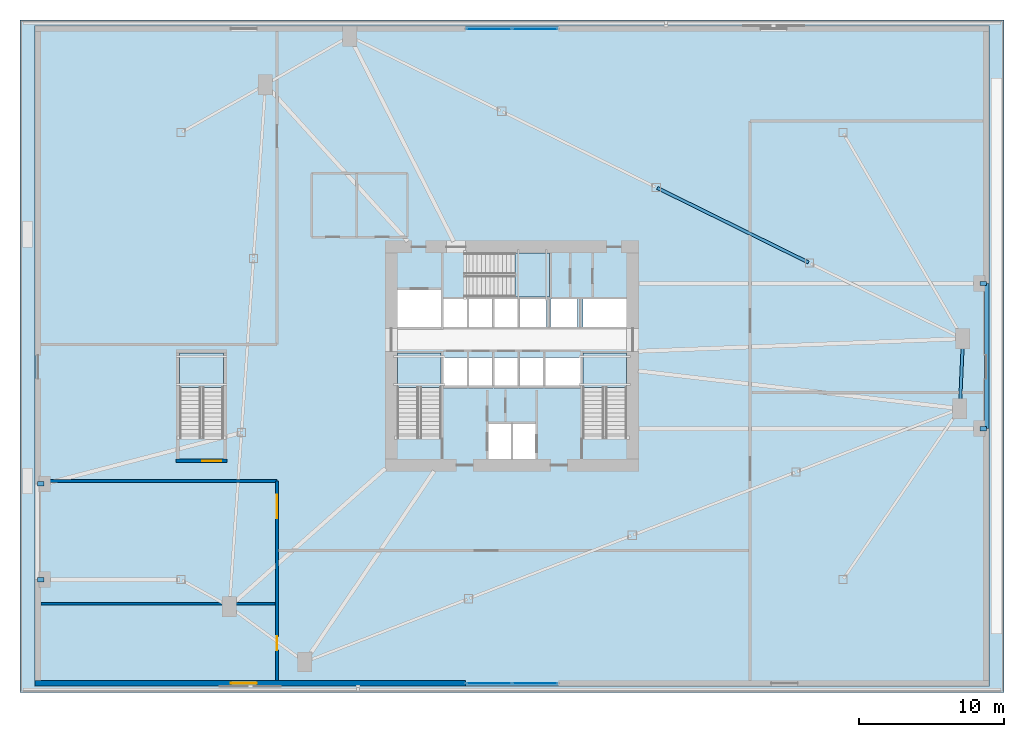
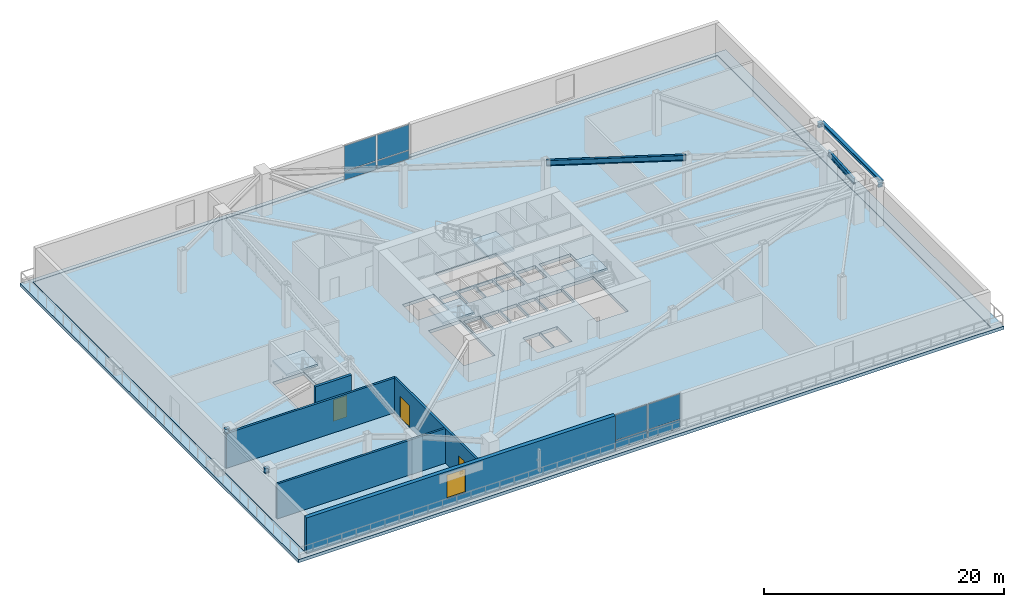
# One storey, part 7 of 16: 8 plates, 7 beams, 6 slabs, 5 walls, 3 doors, 1 window, 4 openings, 6 elements without a shape of their own.
"""IFC4 building model written with IfcOpenShell, lengths in metres."""

import ifcopenshell
import ifcopenshell.guid

model = None  # the IFC model being written
_history = None  # IfcOwnerHistory: only IFC2X3 demands one
_inside = {}  # id of a spatial element -> (the spatial element, [elements in it])
_under = {}  # id of a project, library or spatial element -> (it, [spatial elements below it])
_declared = {}  # id of a project -> (the project, [libraries it declares])
_typed = {}  # id of a type object -> (the type object, [elements of that type])
_made_of = {}  # id of a material, layer set ... -> (it, [elements and type objects made of it])


def new_model(schema):
    """Start an empty IFC model of exactly this schema.

    Asked for "IFC4X3", IfcOpenShell would pick the latest addendum, in which some entities
    have other attributes; the version numbers below select the first issue.
    IFC2X3 requires an IfcOwnerHistory on every rooted entity: one is made here for all.
    """
    global model, _history
    if schema == "IFC4X3":
        model = ifcopenshell.file(schema_version=(4, 3, 0, 0))
    else:
        model = ifcopenshell.file(schema=schema)
    _inside.clear()
    _under.clear()
    _declared.clear()
    _typed.clear()
    _made_of.clear()
    _history = None
    if model.schema == "IFC2X3":
        org = make("IfcOrganization", Name="unknown")
        user = make(
            "IfcPersonAndOrganization",
            ThePerson=make("IfcPerson", FamilyName="unknown"),
            TheOrganization=org,
        )
        app = make(
            "IfcApplication",
            ApplicationDeveloper=org,
            Version="unknown",
            ApplicationFullName="unknown",
            ApplicationIdentifier="unknown",
        )
        _history = make(
            "IfcOwnerHistory",
            OwningUser=user,
            OwningApplication=app,
            ChangeAction="ADDED",
            CreationDate=0,
        )
    return model


def make(cls, **values):
    """One entity of the class cls with the attributes given. An attribute that is None is left unset."""
    return model.create_entity(
        cls, **{name: value for name, value in values.items() if value is not None}
    )


def rooted(cls, **values):
    """An entity with a GlobalId (a new one), such as an element, a storey or a relation."""
    return make(cls, GlobalId=ifcopenshell.guid.new(), OwnerHistory=_history, **values)


def si_unit(unit_type, name, prefix=None):
    """IfcSIUnit, for example si_unit("LENGTHUNIT", "METRE", prefix="MILLI")."""
    return make("IfcSIUnit", UnitType=unit_type, Prefix=prefix, Name=name)


def assignment(units):
    """IfcUnitAssignment: the units of a project."""
    return None if units is None else make("IfcUnitAssignment", Units=units)


def point(xyz):
    """IfcCartesianPoint."""
    return None if xyz is None else make("IfcCartesianPoint", Coordinates=xyz)


def direction(xyz):
    """IfcDirection."""
    return None if xyz is None else make("IfcDirection", DirectionRatios=xyz)


def frame(location, z_axis=None, x_axis=None):
    """IfcAxis2Placement3D, a coordinate frame: its origin and axes. An axis left out is left unset."""
    return make(
        "IfcAxis2Placement3D",
        Location=point(location),
        Axis=direction(z_axis),
        RefDirection=direction(x_axis),
    )


def frame_2d(location, x_axis=None):
    """IfcAxis2Placement2D, a coordinate frame in the plane: its origin and x axis."""
    return make(
        "IfcAxis2Placement2D", Location=point(location), RefDirection=direction(x_axis)
    )


def origin():
    """The frame at (0, 0, 0) with its axes left unset."""
    return frame((0.0, 0.0, 0.0))


def origin_2d():
    """The frame at (0, 0) in the plane with its x axis left unset."""
    return frame_2d((0.0, 0.0))


def place(relative_to, where):
    """IfcLocalPlacement: puts the frame where relative to a parent placement (None: the world)."""
    return make(
        "IfcLocalPlacement", PlacementRelTo=relative_to, RelativePlacement=where
    )


def context(
    kind, dimensions, precision=None, world=None, true_north=None, identifier=None
):
    """IfcGeometricRepresentationContext, for example the 3D "Model" context."""
    return make(
        "IfcGeometricRepresentationContext",
        ContextIdentifier=identifier,
        ContextType=kind,
        CoordinateSpaceDimension=dimensions,
        Precision=precision,
        WorldCoordinateSystem=world,
        TrueNorth=true_north,
    )


def subcontext(parent, identifier, kind, view, scale=None):
    """IfcGeometricRepresentationSubContext, for example "Body" below "Model"."""
    return make(
        "IfcGeometricRepresentationSubContext",
        ContextIdentifier=identifier,
        ContextType=kind,
        ParentContext=parent,
        TargetScale=scale,
        TargetView=view,
    )


def project(units=None, contexts=None):
    """IfcProject with its units and contexts."""
    return rooted(
        "IfcProject",
        Name="project",
        RepresentationContexts=contexts,
        UnitsInContext=assignment(units),
    )


def spatial(cls, under=None, at=None, **own):
    """A site, building, storey or space (cls), placed at a placement, below another one or the project."""
    s = rooted(cls, ObjectPlacement=at, **own)
    if under is not None:
        _under.setdefault(under.id(), (under, []))[1].append(s)
    return s


def polyline(points):
    """IfcPolyline through the points."""
    return make("IfcPolyline", Points=[point(p) for p in points])


def profile(cls, at=None, kind="AREA", **sizes):
    """A parametric profile (cls). Its sizes go by their IFC names, for example OverallWidth=200.0."""
    return make(cls, ProfileType=kind, Position=at, **sizes)


def rectangle(**sizes):
    """IfcRectangleProfileDef."""
    return profile("IfcRectangleProfileDef", **sizes)


def i_section(**sizes):
    """IfcIShapeProfileDef."""
    return profile("IfcIShapeProfileDef", **sizes)


def outline(outer, holes=None, kind="AREA"):
    """IfcArbitraryClosedProfileDef: a profile drawn as a closed curve; with holes, ...WithVoids."""
    if holes is None:
        return make("IfcArbitraryClosedProfileDef", ProfileType=kind, OuterCurve=outer)
    return make(
        "IfcArbitraryProfileDefWithVoids",
        ProfileType=kind,
        OuterCurve=outer,
        InnerCurves=holes,
    )


def extrude(swept, where, along, depth):
    """IfcExtrudedAreaSolid: the profile swept, set in the frame where, extruded along a direction by depth."""
    return make(
        "IfcExtrudedAreaSolid",
        SweptArea=swept,
        Position=where,
        ExtrudedDirection=direction(along),
        Depth=depth,
    )


def shape(context_of_items, identifier, shape_type, items):
    """IfcShapeRepresentation: the items that make up one representation, for example the "Body"."""
    return make(
        "IfcShapeRepresentation",
        ContextOfItems=context_of_items,
        RepresentationIdentifier=identifier,
        RepresentationType=shape_type,
        Items=items,
    )


def source(mapping_origin, context_of_items, identifier, shape_type, items):
    """IfcRepresentationMap: a shape defined once, which mapped items show again and again."""
    return make(
        "IfcRepresentationMap",
        MappingOrigin=mapping_origin,
        MappedRepresentation=shape(context_of_items, identifier, shape_type, items),
    )


def transform(
    local_origin,
    x_axis=None,
    y_axis=None,
    z_axis=None,
    scale=None,
    scale2=None,
    scale3=None,
    uniform=True,
):
    """IfcCartesianTransformationOperator3D, or its non-uniform kind. x_axis, y_axis, z_axis: its Axis1, 2, 3."""
    if uniform:
        return make(
            "IfcCartesianTransformationOperator3D",
            Axis1=direction(x_axis),
            Axis2=direction(y_axis),
            LocalOrigin=point(local_origin),
            Scale=scale,
            Axis3=direction(z_axis),
        )
    return make(
        "IfcCartesianTransformationOperator3DnonUniform",
        Axis1=direction(x_axis),
        Axis2=direction(y_axis),
        LocalOrigin=point(local_origin),
        Scale=scale,
        Axis3=direction(z_axis),
        Scale2=scale2,
        Scale3=scale3,
    )


def mapped(mapping_source, mapping_target):
    """IfcMappedItem: shows the shape of a source again, moved by a transform."""
    return make(
        "IfcMappedItem", MappingSource=mapping_source, MappingTarget=mapping_target
    )


def material(Name=None, Category=None):
    """IfcMaterial."""
    return make("IfcMaterial", Name=Name, Category=Category)


def layer(
    of_material, thickness, ventilated=None, Name=None, Category=None, Priority=None
):
    """IfcMaterialLayer: one layer of a wall or slab, of a material (None: an air gap)."""
    return make(
        "IfcMaterialLayer",
        Material=of_material,
        LayerThickness=thickness,
        IsVentilated=ventilated,
        Name=Name,
        Category=Category,
        Priority=Priority,
    )


def layer_set(layers, Name=None):
    """IfcMaterialLayerSet."""
    return make("IfcMaterialLayerSet", MaterialLayers=layers, LayerSetName=Name)


def material_profile(
    of_material, cross_section, Name=None, Category=None, Priority=None
):
    """IfcMaterialProfile: a cross section and its material."""
    return make(
        "IfcMaterialProfile",
        Name=Name,
        Material=of_material,
        Profile=cross_section,
        Priority=Priority,
        Category=Category,
    )


def profile_set(profiles, Name=None, composite=None):
    """IfcMaterialProfileSet."""
    return make(
        "IfcMaterialProfileSet",
        Name=Name,
        MaterialProfiles=profiles,
        CompositeProfile=composite,
    )


def made_of(thing, what):
    """Note that an element or type object is made of a material, layer set ...; save() writes the relation."""
    if what is not None:
        _made_of.setdefault(what.id(), (what, []))[1].append(thing)
    return thing


def type_object(cls, material=None, **own):
    """A type object (cls), such as IfcWallType, which elements share."""
    return made_of(rooted(cls, **own), material)


def type_shapes(of_type, sources):
    """Give a type object the sources (RepresentationMaps) that its elements show as mapped items."""
    of_type.RepresentationMaps = sources


def element(
    cls,
    number,
    at=None,
    inside=None,
    cuts=None,
    type_object=None,
    material=None,
    context=None,
    identifier="Body",
    shape_type=None,
    held_by="IfcProductDefinitionShape",
    body=None,
    shapes=None,
    **own,
):
    """One element of the class cls, such as IfcWall. Its Tag is "e" and its number.

    at: its placement. inside: the storey or other place that contains it. cuts: it is an
    opening in that element (IfcRelVoidsElement). A single representation is given by context,
    identifier, shape_type and body (its items); several are given by shapes. held_by: the class
    of the entity that holds the representations. save() writes the other relations.
    """
    e = rooted(cls, Tag="e%d" % number, ObjectPlacement=at, **own)
    if body is not None:
        shapes = [shape(context, identifier, shape_type, body)]
    if shapes is not None:
        e.Representation = make(held_by, Representations=shapes)
    if inside is not None:
        _inside.setdefault(inside.id(), (inside, []))[1].append(e)
    if cuts is not None:
        rooted(
            "IfcRelVoidsElement", RelatingBuildingElement=cuts, RelatedOpeningElement=e
        )
    if type_object is not None:
        _typed.setdefault(type_object.id(), (type_object, []))[1].append(e)
    return made_of(e, material)


def fill(opening, filler):
    """IfcRelFillsElement: the door or window that sits in an opening."""
    return rooted(
        "IfcRelFillsElement",
        RelatingOpeningElement=opening,
        RelatedBuildingElement=filler,
    )


def aggregate(whole, parts):
    """IfcRelAggregates: a whole, such as a stair, and the parts it consists of."""
    return rooted("IfcRelAggregates", RelatingObject=whole, RelatedObjects=parts)


def save(model, path):
    """Write the relations noted so far, then the file.

    IfcRelAggregates (storeys below a building ...), IfcRelContainedInSpatialStructure (elements
    in a storey), IfcRelDefinesByType, IfcRelAssociatesMaterial and IfcRelDeclares: one each for
    every whole, place, type object, material and project.
    """
    for whole, parts in _under.values():
        aggregate(whole, parts)
    for where, things in _inside.values():
        rooted(
            "IfcRelContainedInSpatialStructure",
            RelatedElements=things,
            RelatingStructure=where,
        )
    for kind, things in _typed.values():
        rooted("IfcRelDefinesByType", RelatedObjects=things, RelatingType=kind)
    for what, things in _made_of.values():
        rooted("IfcRelAssociatesMaterial", RelatedObjects=things, RelatingMaterial=what)
    for by, libraries in _declared.values():
        rooted("IfcRelDeclares", RelatingContext=by, RelatedDefinitions=libraries)
    model.write(path)


model = new_model("IFC4")

# Units and contexts
model_context = context("Model", 3, precision=1e-05, world=origin(), true_north=direction((0.0, 1.0)))
body_context = subcontext(model_context, "Body", "Model", "MODEL_VIEW")
ifc_project = project(units=[si_unit("LENGTHUNIT", "METRE"), si_unit("AREAUNIT", "SQUARE_METRE"), si_unit("VOLUMEUNIT", "CUBIC_METRE"), si_unit("PLANEANGLEUNIT", "RADIAN"), si_unit("MASSUNIT", "GRAM", prefix="KILO")], contexts=[model_context])

# Site, building, storey
site_placement = place(None, origin())
site = spatial("IfcSite", under=ifc_project, at=site_placement, CompositionType="ELEMENT")
building_placement = place(site_placement, origin())
building = spatial("IfcBuilding", under=site, at=building_placement, Name="Olszyna Solenne Hotel", CompositionType="ELEMENT")
storey_placement = place(building_placement, frame((0.0, 0.0, 15.60009765625)))
storey = spatial("IfcBuildingStorey", under=building, at=storey_placement, Name="L03", CompositionType="ELEMENT", Elevation=15.60009765625)

# Beams
ifc_material_1 = material(Name="Steel S355J2", Category="steel")
ifc_material_profile_1 = material_profile(ifc_material_1, i_section(OverallWidth=0.2099609375, OverallDepth=0.550048828125, WebThickness=0.010986328125, FlangeThickness=0.01708984375, at=origin_2d()), Name="IPE 550", Category="load-bearing")
ifc_profile_set_1 = profile_set([ifc_material_profile_1], Name="Steel S355J2")
beam_type_1 = type_object("IfcBeamType", Name="BM-F2", PredefinedType="BEAM", material=ifc_profile_set_1)
shared_shape_1 = source(origin(), body_context, "Body", "SweptSolid", [
    extrude(i_section(OverallWidth=0.2099609375, OverallDepth=0.550048828125, WebThickness=0.010986328125, FlangeThickness=0.01708984375, at=origin_2d()), origin(), (0.0, 0.0, 1.0), 4.6630859375),
])
beam_1_placement = place(storey_placement, frame((68.86181640625, 23.064453125, 3.90478515625), z_axis=(0.044450544341, 0.999011586073, 0.0), x_axis=(-0.999011586073, 0.044450544341, 0.0)))
element("IfcBeam", 1, at=beam_1_placement, inside=storey, type_object=beam_type_1, Name="Podium ring girder BM-F2 B-L03-0115", PredefinedType="BEAM", context=body_context, shape_type="MappedRepresentation", body=[
    mapped(shared_shape_1, transform((0.0, 0.0, 0.0), x_axis=(1.0, 0.0, 0.0), y_axis=(0.0, 1.0, 0.0), z_axis=(0.0, 0.0, 1.0), scale=1.0)),
])
shared_shape_2 = source(origin(), body_context, "Body", "SweptSolid", [
    extrude(i_section(OverallWidth=0.2099609375, OverallDepth=0.550048828125, WebThickness=0.010986328125, FlangeThickness=0.01708984375, at=origin_2d()), origin(), (0.0, 0.0, 1.0), 11.6201171875),
])
beam_2_placement = place(storey_placement, frame((58.434814453125, 33.048095703125, 3.90478515625), z_axis=(-0.896896785097, 0.442239931352, 0.0), x_axis=(-0.442239931352, -0.896896785097, 0.0)))
element("IfcBeam", 2, at=beam_2_placement, inside=storey, type_object=beam_type_1, Name="Podium ring girder BM-F2 BRG-L03-22", PredefinedType="BEAM", context=body_context, shape_type="MappedRepresentation", body=[
    mapped(shared_shape_2, transform((0.0, 0.0, 0.0), x_axis=(1.0, 0.0, 0.0), y_axis=(0.0, 1.0, 0.0), z_axis=(0.0, 0.0, 1.0), scale=1.0)),
])
ifc_material_profile_2 = material_profile(ifc_material_1, i_section(OverallWidth=0.300048828125, OverallDepth=0.31005859375, WebThickness=0.009033203125, FlangeThickness=0.015380859375, at=origin_2d()), Name="HEA 320", Category="load-bearing")
ifc_profile_set_2 = profile_set([ifc_material_profile_2], Name="Steel S355J2")
beam_type_2 = type_object("IfcBeamType", Name="BM-G3", PredefinedType="BEAM", material=ifc_profile_set_2)
shared_shape_3 = source(origin(), body_context, "Body", "SweptSolid", [
    extrude(i_section(OverallWidth=0.300048828125, OverallDepth=0.31005859375, WebThickness=0.009033203125, FlangeThickness=0.015380859375, at=origin_2d()), origin(), (0.0, 0.0, 1.0), 10.0),
])
beam_3_placement = place(storey_placement, frame((70.699951171875, 21.60009765625, 4.02490234375), z_axis=(0.0, 1.0, 0.0), x_axis=(-1.0, 0.0, 0.0)))
element("IfcBeam", 3, at=beam_3_placement, inside=storey, type_object=beam_type_2, Name="Terrace East rim beam BM-G3 B-L03-0136", PredefinedType="BEAM", context=body_context, shape_type="MappedRepresentation", body=[
    mapped(shared_shape_3, transform((0.0, 0.0, 0.0), x_axis=(1.0, 0.0, 0.0), y_axis=(0.0, 1.0, 0.0), z_axis=(0.0, 0.0, 1.0), scale=1.0)),
])
ifc_material_profile_3 = material_profile(ifc_material_1, i_section(OverallWidth=0.300048828125, OverallDepth=0.489990234375, WebThickness=0.011962890625, FlangeThickness=0.02294921875, at=origin_2d()), Name="HEA 500", Category="load-bearing")
ifc_profile_set_3 = profile_set([ifc_material_profile_3], Name="Steel S355J2")
beam_type_3 = type_object("IfcBeamType", Name="BM-G1", PredefinedType="BEAM", material=ifc_profile_set_3)
shared_shape_4 = source(origin(), body_context, "Body", "SweptSolid", [
    extrude(i_section(OverallWidth=0.300048828125, OverallDepth=0.489990234375, WebThickness=0.011962890625, FlangeThickness=0.02294921875, at=origin_2d()), origin(), (0.0, 0.0, 1.0), 0.43994140625),
])
for number, where, z_axis, x_axis, name in (
    (4, (5.300048828125, 11.199951171875, 3.934814453125), (1.0, 0.0, 0.0), (0.0, 1.0, 0.0), "Terrace West overhang girder BM-G1 B-L03-0128"),
    (5, (5.300048828125, 17.800048828125, 3.934814453125), (1.0, 0.0, 0.0), (0.0, 1.0, 0.0), "Terrace West overhang girder BM-G1 B-L03-0130"),
    (6, (70.260009765625, 21.60009765625, 3.934814453125), (1.0, 0.0, 0.0), (0.0, 1.0, 0.0), "Terrace East overhang girder BM-G1 B-L03-0133"),
    (7, (70.260009765625, 31.60009765625, 3.934814453125), (1.0, 0.0, 0.0), (0.0, 1.0, 0.0), "Terrace East overhang girder BM-G1 B-L03-0135"),
):
    element("IfcBeam", number, at=place(storey_placement, frame(where, z_axis=z_axis, x_axis=x_axis)), inside=storey, type_object=beam_type_3, Name=name, PredefinedType="BEAM", context=body_context, shape_type="MappedRepresentation", body=[
        mapped(shared_shape_4, transform((0.0, 0.0, 0.0), x_axis=(1.0, 0.0, 0.0), y_axis=(0.0, 1.0, 0.0), z_axis=(0.0, 0.0, 1.0), scale=1.0)),
    ])

# Stair, slab
ifc_material_2 = material(Name="Concrete C40/50", Category="concrete")
stair_type_1 = type_object("IfcStairType", Name="STR-C1", PredefinedType="TWO_QUARTER_WINDING_STAIR", material=ifc_material_2)
stair_1_placement = place(storey_placement, origin())
stair_1 = element("IfcStair", 8, at=stair_1_placement, inside=storey, type_object=stair_type_1, Name="L03 ST1", PredefinedType="TWO_QUARTER_WINDING_STAIR")
ifc_layer_1 = layer(ifc_material_2, 0.18994140625, Name="Concrete C40/50")
ifc_layer_set_1 = layer_set([ifc_layer_1], Name="Concrete C40/50")
slab_type_1 = type_object("IfcSlabType", Name="SL-LN190", PredefinedType="LANDING", material=ifc_layer_set_1)
slab_1_placement = place(storey_placement, frame((0.0, 0.0, 2.0498046875)))
slab_1 = element("IfcSlab", 9, at=slab_1_placement, type_object=slab_type_1, Name="ST1 landing 1", PredefinedType="LANDING", context=body_context, shape_type="SweptSolid", body=[
    extrude(outline(polyline([(33.1201171875, 24.429931640625), (33.1201171875, 26.800048828125), (30.10009765625, 26.800048828125), (30.10009765625, 24.429931640625), (33.1201171875, 24.429931640625)])), origin(), (0.0, 0.0, 1.0), 0.2001953125),
])
aggregate(stair_1, [slab_1])

stair_2_placement = place(storey_placement, origin())
stair_2 = element("IfcStair", 10, at=stair_2_placement, inside=storey, type_object=stair_type_1, Name="L03 ST2", PredefinedType="TWO_QUARTER_WINDING_STAIR")
slab_2_placement = place(storey_placement, frame((0.0, 0.0, 2.0498046875)))
slab_2 = element("IfcSlab", 11, at=slab_2_placement, type_object=slab_type_1, Name="ST2 landing 1", PredefinedType="LANDING", context=body_context, shape_type="SweptSolid", body=[
    extrude(outline(polyline([(45.89990234375, 24.429931640625), (45.89990234375, 26.800048828125), (42.8798828125, 26.800048828125), (42.8798828125, 24.429931640625), (45.89990234375, 24.429931640625)])), origin(), (0.0, 0.0, 1.0), 0.2001953125),
])
aggregate(stair_2, [slab_2])

stair_3_placement = place(storey_placement, origin())
stair_3 = element("IfcStair", 12, at=stair_3_placement, inside=storey, type_object=stair_type_1, Name="L03 ST3", PredefinedType="TWO_QUARTER_WINDING_STAIR")
slab_3_placement = place(storey_placement, frame((0.0, 0.0, 2.0498046875)))
slab_3 = element("IfcSlab", 13, at=slab_3_placement, type_object=slab_type_1, Name="ST3 landing 1", PredefinedType="LANDING", context=body_context, shape_type="SweptSolid", body=[
    extrude(outline(polyline([(38.2099609375, 30.679931640625), (40.580078125, 30.679931640625), (40.580078125, 33.699951171875), (38.2099609375, 33.699951171875), (38.2099609375, 30.679931640625)])), origin(), (0.0, 0.0, 1.0), 0.2001953125),
])
aggregate(stair_3, [slab_3])

stair_type_2 = type_object("IfcStairType", Name="STR-P1", PredefinedType="TWO_QUARTER_WINDING_STAIR", material=ifc_material_2)
stair_4_placement = place(storey_placement, origin())
stair_4 = element("IfcStair", 14, at=stair_4_placement, inside=storey, type_object=stair_type_2, Name="L03 ST4", PredefinedType="TWO_QUARTER_WINDING_STAIR")
slab_4_placement = place(storey_placement, frame((0.0, 0.0, 2.0498046875)))
slab_4 = element("IfcSlab", 15, at=slab_4_placement, type_object=slab_type_1, Name="ST4 landing 1", PredefinedType="LANDING", context=body_context, shape_type="SweptSolid", body=[
    extrude(outline(polyline([(18.1201171875, 24.429931640625), (18.1201171875, 26.800048828125), (15.10009765625, 26.800048828125), (15.10009765625, 24.429931640625), (18.1201171875, 24.429931640625)])), origin(), (0.0, 0.0, 1.0), 0.2001953125),
])
aggregate(stair_4, [slab_4])

# Slabs
ifc_material_3 = material(Name="Concrete C50/60", Category="concrete")
ifc_layer_2 = layer(ifc_material_3, 0.320068359375, Name="Concrete C50/60")
ifc_layer_set_2 = layer_set([ifc_layer_2], Name="Concrete C50/60")
slab_type_2 = type_object("IfcSlabType", Name="SL-PD320", PredefinedType="FLOOR", material=ifc_layer_set_2)
slab_5_placement = place(storey_placement, frame((0.0, 0.0, -0.320068359375)))
element("IfcSlab", 16, at=slab_5_placement, inside=storey, type_object=slab_type_2, Name="Floor slab SL-PD320 SL-L03-01", PredefinedType="FLOOR", context=body_context, shape_type="SweptSolid", body=[
    extrude(outline(polyline([(5.14990234375, 3.860107421875), (70.85009765625, 3.860107421875), (70.85009765625, 49.340087890625), (5.14990234375, 49.340087890625), (5.14990234375, 3.860107421875)]), holes=[polyline([(30.10009765625, 20.949951171875), (33.1201171875, 20.949951171875), (33.1201171875, 26.800048828125), (30.10009765625, 26.800048828125), (30.10009765625, 20.949951171875)]), polyline([(42.8798828125, 20.949951171875), (45.89990234375, 20.949951171875), (45.89990234375, 26.800048828125), (42.8798828125, 26.800048828125), (42.8798828125, 20.949951171875)]), polyline([(34.72998046875, 30.679931640625), (40.580078125, 30.679931640625), (40.580078125, 33.699951171875), (34.72998046875, 33.699951171875), (34.72998046875, 30.679931640625)]), polyline([(15.10009765625, 20.949951171875), (18.1201171875, 20.949951171875), (18.1201171875, 26.800048828125), (15.10009765625, 26.800048828125), (15.10009765625, 20.949951171875)]), polyline([(36.340087890625, 19.5), (37.9599609375, 19.5), (37.9599609375, 21.9599609375), (36.340087890625, 21.9599609375), (36.340087890625, 19.5)]), polyline([(38.0400390625, 19.5), (39.659912109375, 19.5), (39.659912109375, 21.9599609375), (38.0400390625, 21.9599609375), (38.0400390625, 19.5)]), polyline([(30.10009765625, 28.60009765625), (33.1201171875, 28.60009765625), (33.1201171875, 31.159912109375), (30.10009765625, 31.159912109375), (30.10009765625, 28.60009765625)]), polyline([(33.280029296875, 24.360107421875), (34.89990234375, 24.360107421875), (34.89990234375, 26.5), (33.280029296875, 26.5), (33.280029296875, 24.360107421875)]), polyline([(35.030029296875, 24.360107421875), (36.64990234375, 24.360107421875), (36.64990234375, 26.5), (35.030029296875, 26.5), (35.030029296875, 24.360107421875)]), polyline([(36.780029296875, 24.360107421875), (38.39990234375, 24.360107421875), (38.39990234375, 26.5), (36.780029296875, 26.5), (36.780029296875, 24.360107421875)]), polyline([(38.530029296875, 24.360107421875), (40.14990234375, 24.360107421875), (40.14990234375, 26.5), (38.530029296875, 26.5), (38.530029296875, 24.360107421875)]), polyline([(40.280029296875, 24.360107421875), (42.719970703125, 24.360107421875), (42.719970703125, 26.5), (40.280029296875, 26.5), (40.280029296875, 24.360107421875)]), polyline([(33.280029296875, 28.60009765625), (34.89990234375, 28.60009765625), (34.89990234375, 30.550048828125), (33.280029296875, 30.550048828125), (33.280029296875, 28.60009765625)]), polyline([(35.030029296875, 28.60009765625), (36.64990234375, 28.60009765625), (36.64990234375, 30.550048828125), (35.030029296875, 30.550048828125), (35.030029296875, 28.60009765625)]), polyline([(36.780029296875, 28.60009765625), (38.39990234375, 28.60009765625), (38.39990234375, 30.550048828125), (36.780029296875, 30.550048828125), (36.780029296875, 28.60009765625)]), polyline([(38.530029296875, 28.60009765625), (40.389892578125, 28.60009765625), (40.389892578125, 30.550048828125), (38.530029296875, 30.550048828125), (38.530029296875, 28.60009765625)]), polyline([(40.659912109375, 28.60009765625), (42.52001953125, 28.60009765625), (42.52001953125, 30.550048828125), (40.659912109375, 30.550048828125), (40.659912109375, 28.60009765625)]), polyline([(42.8798828125, 28.60009765625), (45.89990234375, 28.60009765625), (45.89990234375, 30.550048828125), (42.8798828125, 30.550048828125), (42.8798828125, 28.60009765625)])]), origin(), (0.0, 0.0, 1.0), 0.320068359375),
])
ifc_material_4 = material(Name="Concrete C45/55", Category="concrete")
ifc_layer_3 = layer(ifc_material_4, 0.239990234375, Name="Concrete C45/55")
ifc_layer_set_3 = layer_set([ifc_layer_3], Name="Concrete C45/55")
slab_type_3 = type_object("IfcSlabType", Name="SL-TER240", PredefinedType="FLOOR", material=ifc_layer_set_3)
slab_6_placement = place(storey_placement, frame((0.0, 0.0, -0.320068359375)))
element("IfcSlab", 17, at=slab_6_placement, inside=storey, type_object=slab_type_3, Name="Cascading planted garden-terrace slab SL-L03-TER1", PredefinedType="FLOOR", context=body_context, shape_type="SweptSolid", body=[
    extrude(outline(polyline([(4.10009765625, 3.43994140625), (71.89990234375, 3.43994140625), (71.89990234375, 49.760009765625), (4.10009765625, 49.760009765625), (4.10009765625, 3.43994140625)]), holes=[polyline([(5.1201171875, 3.857177734375), (5.12060546875, 3.85400390625), (5.121337890625, 3.851318359375), (5.122314453125, 3.848388671875), (5.12353515625, 3.845947265625), (5.125, 3.84326171875), (5.126708984375, 3.841064453125), (5.12890625, 3.8388671875), (5.131103515625, 3.8369140625), (5.13330078125, 3.835205078125), (5.135986328125, 3.83349609375), (5.138427734375, 3.832275390625), (5.141357421875, 3.831298828125), (5.14404296875, 3.83056640625), (5.147216796875, 3.830078125), (5.14990234375, 3.830078125), (70.85009765625, 3.830078125), (70.852783203125, 3.830078125), (70.85595703125, 3.83056640625), (70.858642578125, 3.831298828125), (70.861572265625, 3.832275390625), (70.864013671875, 3.83349609375), (70.86669921875, 3.835205078125), (70.868896484375, 3.8369140625), (70.87109375, 3.8388671875), (70.873291015625, 3.841064453125), (70.875, 3.84326171875), (70.87646484375, 3.845947265625), (70.877685546875, 3.848388671875), (70.878662109375, 3.851318359375), (70.87939453125, 3.85400390625), (70.8798828125, 3.857177734375), (70.8798828125, 3.860107421875), (70.8798828125, 49.340087890625), (70.8798828125, 49.343017578125), (70.87939453125, 49.345947265625), (70.878662109375, 49.3486328125), (70.877685546875, 49.3515625), (70.87646484375, 49.35400390625), (70.875, 49.356689453125), (70.873291015625, 49.35888671875), (70.87109375, 49.361083984375), (70.868896484375, 49.36328125), (70.86669921875, 49.364990234375), (70.864013671875, 49.366455078125), (70.861572265625, 49.36767578125), (70.858642578125, 49.36865234375), (70.85595703125, 49.369384765625), (70.852783203125, 49.369873046875), (70.85009765625, 49.3701171875), (5.14990234375, 49.3701171875), (5.147216796875, 49.369873046875), (5.14404296875, 49.369384765625), (5.141357421875, 49.36865234375), (5.138427734375, 49.36767578125), (5.135986328125, 49.366455078125), (5.13330078125, 49.364990234375), (5.131103515625, 49.36328125), (5.12890625, 49.361083984375), (5.126708984375, 49.35888671875), (5.125, 49.356689453125), (5.12353515625, 49.35400390625), (5.122314453125, 49.3515625), (5.121337890625, 49.3486328125), (5.12060546875, 49.345947265625), (5.1201171875, 49.343017578125), (5.1201171875, 49.340087890625), (5.1201171875, 3.860107421875), (5.1201171875, 3.857177734375)])]), origin(), (0.0, 0.0, 1.0), 0.320068359375),
])

# Curtain wall, plates
ifc_material_5 = material(Name="Anodised bronze aluminium", Category="aluminium")
curtain_wall_type = type_object("IfcCurtainWallType", Name="CW-SYS-1", PredefinedType="NOTDEFINED", material=ifc_material_5)
curtain_wall_1_placement = place(storey_placement, origin())
curtain_wall_1 = element("IfcCurtainWall", 18, at=curtain_wall_1_placement, inside=storey, type_object=curtain_wall_type, Name="Unitised curtain wall CW-SYS-1 CW-L03-01", PredefinedType="NOTDEFINED")
ifc_material_6 = material(Name="Terracotta cladding", Category="masonry")
plate_type_1 = type_object("IfcPlateType", Name="PN-SP1", PredefinedType="CURTAIN_PANEL", material=ifc_material_6)
shared_shape_5 = source(origin(), body_context, "Body", "SweptSolid", [
    extrude(rectangle(XDim=3.080078125, YDim=0.048095703125, at=origin_2d()), origin(), (0.0, 0.0, 1.0), 0.83740234375),
])
plate_1_placement = place(storey_placement, frame((36.419921875, 4.050048828125, 0.074951171875), z_axis=(0.0, 0.0, 1.0), x_axis=(1.0, 0.0, 0.0)))
plate_1 = element("IfcPlate", 19, at=plate_1_placement, type_object=plate_type_1, Name="Curtain-wall panel PN-SP1 CP-L03-01-01", PredefinedType="CURTAIN_PANEL", context=body_context, shape_type="MappedRepresentation", body=[
    mapped(shared_shape_5, transform((0.0, 0.0, 0.0), x_axis=(1.0, 0.0, 0.0), y_axis=(0.0, 1.0, 0.0), z_axis=(0.0, 0.0, 1.0), scale=1.0)),
])
plate_2_placement = place(storey_placement, frame((39.580078125, 4.050048828125, 0.074951171875), z_axis=(0.0, 0.0, 1.0), x_axis=(1.0, 0.0, 0.0)))
plate_2 = element("IfcPlate", 20, at=plate_2_placement, type_object=plate_type_1, Name="Curtain-wall panel PN-SP1 CP-L03-01-03", PredefinedType="CURTAIN_PANEL", context=body_context, shape_type="MappedRepresentation", body=[
    mapped(shared_shape_5, transform((0.0, 0.0, 0.0), x_axis=(1.0, 0.0, 0.0), y_axis=(0.0, 1.0, 0.0), z_axis=(0.0, 0.0, 1.0), scale=1.0)),
])

curtain_wall_2_placement = place(storey_placement, origin())
curtain_wall_2 = element("IfcCurtainWall", 21, at=curtain_wall_2_placement, inside=storey, type_object=curtain_wall_type, Name="Unitised curtain wall CW-SYS-1 CW-L03-02", PredefinedType="NOTDEFINED")
plate_3_placement = place(storey_placement, frame((36.419921875, 49.14990234375, 0.074951171875), z_axis=(0.0, 0.0, 1.0), x_axis=(1.0, 0.0, 0.0)))
plate_3 = element("IfcPlate", 22, at=plate_3_placement, type_object=plate_type_1, Name="Curtain-wall panel PN-SP1 CP-L03-02-01", PredefinedType="CURTAIN_PANEL", context=body_context, shape_type="MappedRepresentation", body=[
    mapped(shared_shape_5, transform((0.0, 0.0, 0.0), x_axis=(1.0, 0.0, 0.0), y_axis=(0.0, 1.0, 0.0), z_axis=(0.0, 0.0, 1.0), scale=1.0)),
])
plate_4_placement = place(storey_placement, frame((39.580078125, 49.14990234375, 0.074951171875), z_axis=(0.0, 0.0, 1.0), x_axis=(1.0, 0.0, 0.0)))
plate_4 = element("IfcPlate", 23, at=plate_4_placement, type_object=plate_type_1, Name="Curtain-wall panel PN-SP1 CP-L03-02-03", PredefinedType="CURTAIN_PANEL", context=body_context, shape_type="MappedRepresentation", body=[
    mapped(shared_shape_5, transform((0.0, 0.0, 0.0), x_axis=(1.0, 0.0, 0.0), y_axis=(0.0, 1.0, 0.0), z_axis=(0.0, 0.0, 1.0), scale=1.0)),
])

# Plate
ifc_material_7 = material(Name="Low-E triple glazing", Category="glass")
plate_type_2 = type_object("IfcPlateType", Name="PN-GL2", PredefinedType="CURTAIN_PANEL", material=ifc_material_7)
shared_shape_6 = source(origin(), body_context, "Body", "SweptSolid", [
    extrude(rectangle(XDim=3.080078125, YDim=0.048095703125, at=origin_2d()), origin(), (0.0, 0.0, 1.0), 2.5595703125),
])
plate_5_placement = place(storey_placement, frame((36.419921875, 4.050048828125, 0.9873046875), z_axis=(0.0, 0.0, 1.0), x_axis=(1.0, 0.0, 0.0)))
plate_5 = element("IfcPlate", 24, at=plate_5_placement, type_object=plate_type_2, Name="Curtain-wall panel PN-GL2 CP-L03-01-02", PredefinedType="CURTAIN_PANEL", context=body_context, shape_type="MappedRepresentation", body=[
    mapped(shared_shape_6, transform((0.0, 0.0, 0.0), x_axis=(1.0, 0.0, 0.0), y_axis=(0.0, 1.0, 0.0), z_axis=(0.0, 0.0, 1.0), scale=1.0)),
])

plate_6_placement = place(storey_placement, frame((39.580078125, 4.050048828125, 0.9873046875), z_axis=(0.0, 0.0, 1.0), x_axis=(1.0, 0.0, 0.0)))
plate_6 = element("IfcPlate", 25, at=plate_6_placement, type_object=plate_type_2, Name="Curtain-wall panel PN-GL2 CP-L03-01-04", PredefinedType="CURTAIN_PANEL", context=body_context, shape_type="MappedRepresentation", body=[
    mapped(shared_shape_6, transform((0.0, 0.0, 0.0), x_axis=(1.0, 0.0, 0.0), y_axis=(0.0, 1.0, 0.0), z_axis=(0.0, 0.0, 1.0), scale=1.0)),
])

aggregate(curtain_wall_1, [plate_1, plate_5, plate_2, plate_6])

plate_7_placement = place(storey_placement, frame((36.419921875, 49.14990234375, 0.9873046875), z_axis=(0.0, 0.0, 1.0), x_axis=(1.0, 0.0, 0.0)))
plate_7 = element("IfcPlate", 26, at=plate_7_placement, type_object=plate_type_2, Name="Curtain-wall panel PN-GL2 CP-L03-02-02", PredefinedType="CURTAIN_PANEL", context=body_context, shape_type="MappedRepresentation", body=[
    mapped(shared_shape_6, transform((0.0, 0.0, 0.0), x_axis=(1.0, 0.0, 0.0), y_axis=(0.0, 1.0, 0.0), z_axis=(0.0, 0.0, 1.0), scale=1.0)),
])

plate_8_placement = place(storey_placement, frame((39.580078125, 49.14990234375, 0.9873046875), z_axis=(0.0, 0.0, 1.0), x_axis=(1.0, 0.0, 0.0)))
plate_8 = element("IfcPlate", 27, at=plate_8_placement, type_object=plate_type_2, Name="Curtain-wall panel PN-GL2 CP-L03-02-04", PredefinedType="CURTAIN_PANEL", context=body_context, shape_type="MappedRepresentation", body=[
    mapped(shared_shape_6, transform((0.0, 0.0, 0.0), x_axis=(1.0, 0.0, 0.0), y_axis=(0.0, 1.0, 0.0), z_axis=(0.0, 0.0, 1.0), scale=1.0)),
])

aggregate(curtain_wall_2, [plate_3, plate_7, plate_4, plate_8])

# Wall, opening, window
ifc_material_8 = material(Name="Terracotta cladding on precast concrete C45/55", Category="masonry")
ifc_layer_4 = layer(ifc_material_8, 0.3798828125, Name="Terracotta cladding on precast concrete C45/55")
ifc_layer_set_4 = layer_set([ifc_layer_4], Name="Terracotta cladding on precast concrete C45/55")
wall_type_1 = type_object("IfcWallType", Name="WL-EX380", PredefinedType="SOLIDWALL", material=ifc_layer_set_4)
wall_1_placement = place(storey_placement, frame((34.800048828125, 4.050048828125, 0.0), z_axis=(0.0, 0.0, 1.0), x_axis=(-1.0, 0.0, 0.0)))
wall_1 = element("IfcWall", 28, at=wall_1_placement, inside=storey, type_object=wall_type_1, Name="Podium terracotta-precast exterior wall EW-L03-SW", PredefinedType="SOLIDWALL", context=body_context, shape_type="SweptSolid", body=[
    extrude(rectangle(XDim=29.650146484375, YDim=0.3798828125, at=frame_2d((14.8251953125, 0.0))), origin(), (0.0, 0.0, 1.0), 3.621826171875),
])
opening_1_placement = place(wall_1_placement, frame((14.375, 0.0, 0.85009765625)))
opening_1 = element("IfcOpeningElement", 29, at=opening_1_placement, cuts=wall_1, Name="Opening WN-L03-014", PredefinedType="OPENING", context=body_context, shape_type="SweptSolid", body=[
    extrude(rectangle(XDim=1.800048828125, YDim=2.39990234375, at=frame_2d((0.89990234375, 1.199951171875))), frame((0.0, 0.199951171875, 0.0), z_axis=(0.0, -1.0, 0.0), x_axis=(1.0, 0.0, 0.0)), (0.0, 0.0, 1.0), 0.39990234375),
])
window_type = type_object("IfcWindowType", Name="WN-PD2", PartitioningType="SINGLE_PANEL", PredefinedType="WINDOW", material=ifc_material_7)
shared_shape_7 = source(origin(), body_context, "Body", "SweptSolid", [
    extrude(rectangle(XDim=1.800048828125, YDim=2.39990234375, at=frame_2d((0.89990234375, 1.199951171875))), frame((0.0, 0.030029296875, 0.0), z_axis=(0.0, -1.0, 0.0), x_axis=(1.0, 0.0, 0.0)), (0.0, 0.0, 1.0), 0.06005859375),
])
type_shapes(window_type, [shared_shape_7])
window_placement = place(opening_1_placement, origin())
window = element("IfcWindow", 30, at=window_placement, inside=storey, type_object=window_type, Name="Podium triple-glazed window WN-PD2 WN-L03-014", OverallHeight=2.39990234375, OverallWidth=1.800048828125, PartitioningType="SINGLE_PANEL", PredefinedType="WINDOW", context=body_context, shape_type="MappedRepresentation", body=[
    mapped(shared_shape_7, transform((0.0, 0.0, 0.0), x_axis=(1.0, 0.0, 0.0), y_axis=(0.0, 1.0, 0.0), z_axis=(0.0, 0.0, 1.0), scale=1.0)),
])
fill(opening_1, window)

# Wall, openings, doors
ifc_material_9 = material(Name="Acoustic gypsum partition", Category="gypsum")
ifc_layer_5 = layer(ifc_material_9, 0.199951171875, Name="Acoustic gypsum partition")
ifc_layer_set_5 = layer_set([ifc_layer_5], Name="Acoustic gypsum partition")
wall_type_2 = type_object("IfcWallType", Name="WL-PT200", PredefinedType="PARTITIONING", material=ifc_layer_set_5)
wall_2_placement = place(storey_placement, frame((21.800048828125, 4.239990234375, 0.0), z_axis=(0.0, 0.0, 1.0), x_axis=(0.0, 1.0, 0.0)))
wall_2 = element("IfcWall", 31, at=wall_2_placement, inside=storey, type_object=wall_type_2, Name="Interior acoustic partition WL-PT200 PW-L03-0228", PredefinedType="PARTITIONING", context=body_context, shape_type="SweptSolid", body=[
    extrude(rectangle(XDim=13.760009765625, YDim=0.199951171875, at=frame_2d((6.8798828125, 0.0))), origin(), (0.0, 0.0, 1.0), 3.52978515625),
])
opening_2_placement = place(wall_2_placement, frame((2.10009765625, 0.0, 0.0)))
opening_2 = element("IfcOpeningElement", 32, at=opening_2_placement, cuts=wall_2, Name="Opening DR-L03-0045", PredefinedType="OPENING", context=body_context, shape_type="SweptSolid", body=[
    extrude(rectangle(XDim=0.949951171875, YDim=2.10009765625, at=frame_2d((0.47509765625, 1.050048828125))), frame((0.0, 0.10986328125, 0.0), z_axis=(0.0, -1.0, 0.0), x_axis=(1.0, 0.0, 0.0)), (0.0, 0.0, 1.0), 0.219970703125),
])
opening_3_placement = place(wall_2_placement, frame((11.199951171875, 0.0, 0.0)))
opening_3 = element("IfcOpeningElement", 33, at=opening_3_placement, cuts=wall_2, Name="Opening DR-L03-0046", PredefinedType="OPENING", context=body_context, shape_type="SweptSolid", body=[
    extrude(rectangle(XDim=1.60009765625, YDim=2.199951171875, at=frame_2d((0.800048828125, 1.10009765625))), frame((0.0, 0.10986328125, 0.0), z_axis=(0.0, -1.0, 0.0), x_axis=(1.0, 0.0, 0.0)), (0.0, 0.0, 1.0), 0.219970703125),
])
door_type_1 = type_object("IfcDoorType", Name="DR-SV1", OperationType="NOTDEFINED", PredefinedType="DOOR", material=ifc_material_1)
shared_shape_8 = source(origin(), body_context, "Body", "SweptSolid", [
    extrude(rectangle(XDim=0.949951171875, YDim=2.10009765625, at=frame_2d((0.47509765625, 1.050048828125))), frame((0.0, 0.02490234375, 0.0), z_axis=(0.0, -1.0, 0.0), x_axis=(1.0, 0.0, 0.0)), (0.0, 0.0, 1.0), 0.050048828125),
])
type_shapes(door_type_1, [shared_shape_8])
door_1_placement = place(opening_2_placement, origin())
door_1 = element("IfcDoor", 34, at=door_1_placement, inside=storey, type_object=door_type_1, Name="West Room Door DR-L03-0045", OperationType="SINGLE_SWING_LEFT", OverallHeight=2.10009765625, OverallWidth=0.949951171875, PredefinedType="DOOR", context=body_context, shape_type="MappedRepresentation", body=[
    mapped(shared_shape_8, transform((0.0, 0.0, 0.0), x_axis=(1.0, 0.0, 0.0), y_axis=(0.0, 1.0, 0.0), z_axis=(0.0, 0.0, 1.0), scale=1.0)),
])
fill(opening_2, door_1)
ifc_material_10 = material(Name="Timber hardwood", Category="wood")
door_type_2 = type_object("IfcDoorType", Name="DR-CR1", OperationType="DOUBLE_DOOR_SINGLE_SWING", PredefinedType="DOOR", material=ifc_material_10)
shared_shape_9 = source(origin(), body_context, "Body", "SweptSolid", [
    extrude(rectangle(XDim=1.60009765625, YDim=2.199951171875, at=frame_2d((0.800048828125, 1.10009765625))), frame((0.0, 0.02490234375, 0.0), z_axis=(0.0, -1.0, 0.0), x_axis=(1.0, 0.0, 0.0)), (0.0, 0.0, 1.0), 0.050048828125),
])
type_shapes(door_type_2, [shared_shape_9])
door_2_placement = place(opening_3_placement, origin())
door_2 = element("IfcDoor", 35, at=door_2_placement, inside=storey, type_object=door_type_2, Name="West Salon Door DR-L03-0046", OperationType="DOUBLE_DOOR_SINGLE_SWING", OverallHeight=2.199951171875, OverallWidth=1.60009765625, PredefinedType="DOOR", context=body_context, shape_type="MappedRepresentation", body=[
    mapped(shared_shape_9, transform((0.0, 0.0, 0.0), x_axis=(1.0, 0.0, 0.0), y_axis=(0.0, 1.0, 0.0), z_axis=(0.0, 0.0, 1.0), scale=1.0)),
])
fill(opening_3, door_2)

# Walls
wall_3_placement = place(storey_placement, frame((5.530029296875, 9.5400390625, 0.0), z_axis=(0.0, 0.0, 1.0), x_axis=(1.0, 0.0, 0.0)))
element("IfcWall", 36, at=wall_3_placement, inside=storey, type_object=wall_type_2, Name="Interior acoustic partition WL-PT200 PW-L03-0229", PredefinedType="PARTITIONING", context=body_context, shape_type="SweptSolid", body=[
    extrude(rectangle(XDim=16.14990234375, YDim=0.199951171875, at=frame_2d((8.074951171875, 0.0))), origin(), (0.0, 0.0, 1.0), 3.52978515625),
])
wall_4_placement = place(storey_placement, frame((5.530029296875, 18.0, 0.0), z_axis=(0.0, 0.0, 1.0), x_axis=(1.0, 0.0, 0.0)))
element("IfcWall", 37, at=wall_4_placement, inside=storey, type_object=wall_type_2, Name="Interior acoustic partition WL-PT200 PW-L03-0230", PredefinedType="PARTITIONING", context=body_context, shape_type="SweptSolid", body=[
    extrude(rectangle(XDim=16.27001953125, YDim=0.199951171875, at=frame_2d((8.135009765625, 0.0))), origin(), (0.0, 0.0, 1.0), 3.52978515625),
])

# Wall, opening, door
ifc_layer_6 = layer(ifc_material_9, 0.239990234375, Name="Acoustic gypsum partition")
ifc_layer_set_6 = layer_set([ifc_layer_6], Name="Acoustic gypsum partition")
wall_type_3 = type_object("IfcWallType", Name="WL-PT240", PredefinedType="PARTITIONING", material=ifc_layer_set_6)
wall_5_placement = place(storey_placement, frame((18.360107421875, 19.3798828125, 0.0), z_axis=(0.0, 0.0, 1.0), x_axis=(-1.0, 0.0, 0.0)))
wall_5 = element("IfcWall", 38, at=wall_5_placement, inside=storey, type_object=wall_type_3, Name="Core shaft compartment wall CW-L03-ST4S", PredefinedType="PARTITIONING", context=body_context, shape_type="SweptSolid", body=[
    extrude(rectangle(XDim=3.5, YDim=0.239990234375, at=frame_2d((1.75, 0.0))), origin(), (0.0, 0.0, 1.0), 4.179931640625),
])
opening_4_placement = place(wall_5_placement, frame((0.3798828125, 0.0, 0.0)))
opening_4 = element("IfcOpeningElement", 39, at=opening_4_placement, cuts=wall_5, Name="Opening STD-L03-04", PredefinedType="OPENING", context=body_context, shape_type="SweptSolid", body=[
    extrude(rectangle(XDim=1.320068359375, YDim=2.199951171875, at=frame_2d((0.66015625, 1.10009765625))), frame((0.0, 0.1298828125, 0.0), z_axis=(0.0, -1.0, 0.0), x_axis=(1.0, 0.0, 0.0)), (0.0, 0.0, 1.0), 0.260009765625),
])
door_type_3 = type_object("IfcDoorType", Name="DR-ST1", OperationType="NOTDEFINED", PredefinedType="DOOR", material=ifc_material_1)
shared_shape_10 = source(origin(), body_context, "Body", "SweptSolid", [
    extrude(rectangle(XDim=1.320068359375, YDim=2.199951171875, at=frame_2d((0.66015625, 1.10009765625))), frame((0.0, 0.02490234375, 0.0), z_axis=(0.0, -1.0, 0.0), x_axis=(1.0, 0.0, 0.0)), (0.0, 0.0, 1.0), 0.050048828125),
])
type_shapes(door_type_3, [shared_shape_10])
door_3_placement = place(opening_4_placement, origin())
door_3 = element("IfcDoor", 40, at=door_3_placement, inside=storey, type_object=door_type_3, Name="Podium exit stair ST4 fire door STD-L03-04", OperationType="SINGLE_SWING_LEFT", OverallHeight=2.199951171875, OverallWidth=1.320068359375, PredefinedType="DOOR", context=body_context, shape_type="MappedRepresentation", body=[
    mapped(shared_shape_10, transform((0.0, 0.0, 0.0), x_axis=(1.0, 0.0, 0.0), y_axis=(0.0, 1.0, 0.0), z_axis=(0.0, 0.0, 1.0), scale=1.0)),
])
fill(opening_4, door_3)

save(model, "model.ifc")
